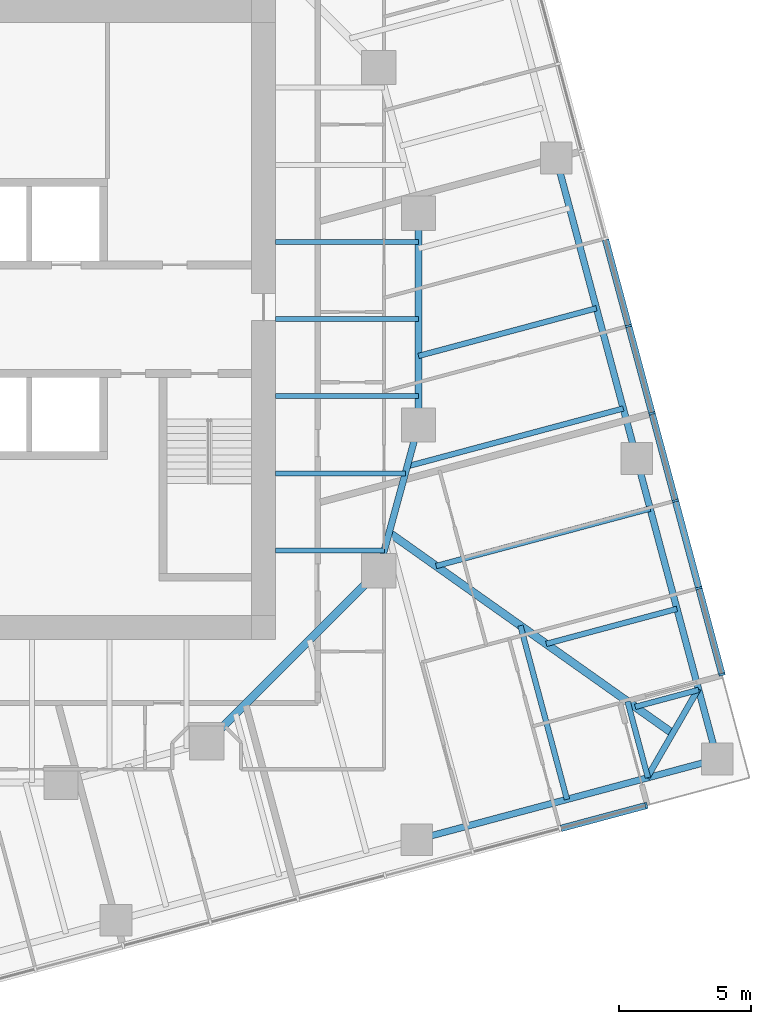
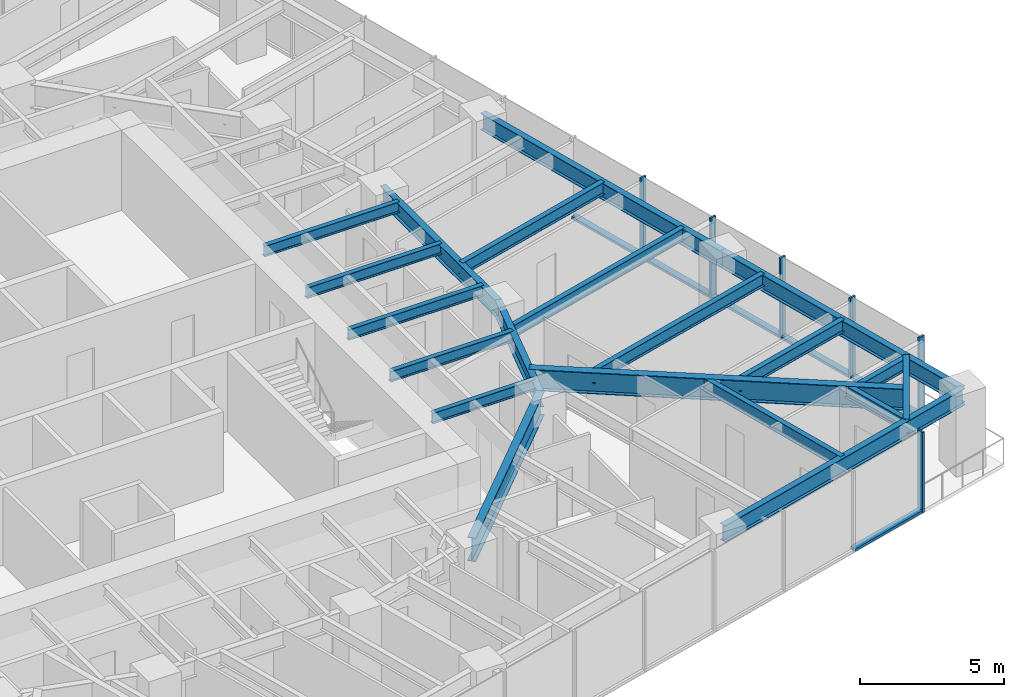
# One storey, part 4 of 14: 20 beams, 12 members, 2 elements without a shape of their own.
"""IFC4 building model written with IfcOpenShell, lengths in metres."""

import ifcopenshell
import ifcopenshell.guid

model = None  # the IFC model being written
_history = None  # IfcOwnerHistory: only IFC2X3 demands one
_inside = {}  # id of a spatial element -> (the spatial element, [elements in it])
_under = {}  # id of a project, library or spatial element -> (it, [spatial elements below it])
_declared = {}  # id of a project -> (the project, [libraries it declares])
_typed = {}  # id of a type object -> (the type object, [elements of that type])
_made_of = {}  # id of a material, layer set ... -> (it, [elements and type objects made of it])


def new_model(schema):
    """Start an empty IFC model of exactly this schema.

    Asked for "IFC4X3", IfcOpenShell would pick the latest addendum, in which some entities
    have other attributes; the version numbers below select the first issue.
    IFC2X3 requires an IfcOwnerHistory on every rooted entity: one is made here for all.
    """
    global model, _history
    if schema == "IFC4X3":
        model = ifcopenshell.file(schema_version=(4, 3, 0, 0))
    else:
        model = ifcopenshell.file(schema=schema)
    _inside.clear()
    _under.clear()
    _declared.clear()
    _typed.clear()
    _made_of.clear()
    _history = None
    if model.schema == "IFC2X3":
        org = make("IfcOrganization", Name="unknown")
        user = make(
            "IfcPersonAndOrganization",
            ThePerson=make("IfcPerson", FamilyName="unknown"),
            TheOrganization=org,
        )
        app = make(
            "IfcApplication",
            ApplicationDeveloper=org,
            Version="unknown",
            ApplicationFullName="unknown",
            ApplicationIdentifier="unknown",
        )
        _history = make(
            "IfcOwnerHistory",
            OwningUser=user,
            OwningApplication=app,
            ChangeAction="ADDED",
            CreationDate=0,
        )
    return model


def make(cls, **values):
    """One entity of the class cls with the attributes given. An attribute that is None is left unset."""
    return model.create_entity(
        cls, **{name: value for name, value in values.items() if value is not None}
    )


def rooted(cls, **values):
    """An entity with a GlobalId (a new one), such as an element, a storey or a relation."""
    return make(cls, GlobalId=ifcopenshell.guid.new(), OwnerHistory=_history, **values)


def si_unit(unit_type, name, prefix=None):
    """IfcSIUnit, for example si_unit("LENGTHUNIT", "METRE", prefix="MILLI")."""
    return make("IfcSIUnit", UnitType=unit_type, Prefix=prefix, Name=name)


def assignment(units):
    """IfcUnitAssignment: the units of a project."""
    return None if units is None else make("IfcUnitAssignment", Units=units)


def point(xyz):
    """IfcCartesianPoint."""
    return None if xyz is None else make("IfcCartesianPoint", Coordinates=xyz)


def direction(xyz):
    """IfcDirection."""
    return None if xyz is None else make("IfcDirection", DirectionRatios=xyz)


def frame(location, z_axis=None, x_axis=None):
    """IfcAxis2Placement3D, a coordinate frame: its origin and axes. An axis left out is left unset."""
    return make(
        "IfcAxis2Placement3D",
        Location=point(location),
        Axis=direction(z_axis),
        RefDirection=direction(x_axis),
    )


def frame_2d(location, x_axis=None):
    """IfcAxis2Placement2D, a coordinate frame in the plane: its origin and x axis."""
    return make(
        "IfcAxis2Placement2D", Location=point(location), RefDirection=direction(x_axis)
    )


def origin():
    """The frame at (0, 0, 0) with its axes left unset."""
    return frame((0.0, 0.0, 0.0))


def origin_2d():
    """The frame at (0, 0) in the plane with its x axis left unset."""
    return frame_2d((0.0, 0.0))


def place(relative_to, where):
    """IfcLocalPlacement: puts the frame where relative to a parent placement (None: the world)."""
    return make(
        "IfcLocalPlacement", PlacementRelTo=relative_to, RelativePlacement=where
    )


def context(
    kind, dimensions, precision=None, world=None, true_north=None, identifier=None
):
    """IfcGeometricRepresentationContext, for example the 3D "Model" context."""
    return make(
        "IfcGeometricRepresentationContext",
        ContextIdentifier=identifier,
        ContextType=kind,
        CoordinateSpaceDimension=dimensions,
        Precision=precision,
        WorldCoordinateSystem=world,
        TrueNorth=true_north,
    )


def subcontext(parent, identifier, kind, view, scale=None):
    """IfcGeometricRepresentationSubContext, for example "Body" below "Model"."""
    return make(
        "IfcGeometricRepresentationSubContext",
        ContextIdentifier=identifier,
        ContextType=kind,
        ParentContext=parent,
        TargetScale=scale,
        TargetView=view,
    )


def project(units=None, contexts=None):
    """IfcProject with its units and contexts."""
    return rooted(
        "IfcProject",
        Name="project",
        RepresentationContexts=contexts,
        UnitsInContext=assignment(units),
    )


def spatial(cls, under=None, at=None, **own):
    """A site, building, storey or space (cls), placed at a placement, below another one or the project."""
    s = rooted(cls, ObjectPlacement=at, **own)
    if under is not None:
        _under.setdefault(under.id(), (under, []))[1].append(s)
    return s


def profile(cls, at=None, kind="AREA", **sizes):
    """A parametric profile (cls). Its sizes go by their IFC names, for example OverallWidth=200.0."""
    return make(cls, ProfileType=kind, Position=at, **sizes)


def rectangle(**sizes):
    """IfcRectangleProfileDef."""
    return profile("IfcRectangleProfileDef", **sizes)


def i_section(**sizes):
    """IfcIShapeProfileDef."""
    return profile("IfcIShapeProfileDef", **sizes)


def extrude(swept, where, along, depth):
    """IfcExtrudedAreaSolid: the profile swept, set in the frame where, extruded along a direction by depth."""
    return make(
        "IfcExtrudedAreaSolid",
        SweptArea=swept,
        Position=where,
        ExtrudedDirection=direction(along),
        Depth=depth,
    )


def shape(context_of_items, identifier, shape_type, items):
    """IfcShapeRepresentation: the items that make up one representation, for example the "Body"."""
    return make(
        "IfcShapeRepresentation",
        ContextOfItems=context_of_items,
        RepresentationIdentifier=identifier,
        RepresentationType=shape_type,
        Items=items,
    )


def material(Name=None, Category=None):
    """IfcMaterial."""
    return make("IfcMaterial", Name=Name, Category=Category)


def material_profile(
    of_material, cross_section, Name=None, Category=None, Priority=None
):
    """IfcMaterialProfile: a cross section and its material."""
    return make(
        "IfcMaterialProfile",
        Name=Name,
        Material=of_material,
        Profile=cross_section,
        Priority=Priority,
        Category=Category,
    )


def profile_set(profiles, Name=None, composite=None):
    """IfcMaterialProfileSet."""
    return make(
        "IfcMaterialProfileSet",
        Name=Name,
        MaterialProfiles=profiles,
        CompositeProfile=composite,
    )


def made_of(thing, what):
    """Note that an element or type object is made of a material, layer set ...; save() writes the relation."""
    if what is not None:
        _made_of.setdefault(what.id(), (what, []))[1].append(thing)
    return thing


def type_object(cls, material=None, **own):
    """A type object (cls), such as IfcWallType, which elements share."""
    return made_of(rooted(cls, **own), material)


def element(
    cls,
    number,
    at=None,
    inside=None,
    cuts=None,
    type_object=None,
    material=None,
    context=None,
    identifier="Body",
    shape_type=None,
    held_by="IfcProductDefinitionShape",
    body=None,
    shapes=None,
    **own,
):
    """One element of the class cls, such as IfcWall. Its Tag is "e" and its number.

    at: its placement. inside: the storey or other place that contains it. cuts: it is an
    opening in that element (IfcRelVoidsElement). A single representation is given by context,
    identifier, shape_type and body (its items); several are given by shapes. held_by: the class
    of the entity that holds the representations. save() writes the other relations.
    """
    e = rooted(cls, Tag="e%d" % number, ObjectPlacement=at, **own)
    if body is not None:
        shapes = [shape(context, identifier, shape_type, body)]
    if shapes is not None:
        e.Representation = make(held_by, Representations=shapes)
    if inside is not None:
        _inside.setdefault(inside.id(), (inside, []))[1].append(e)
    if cuts is not None:
        rooted(
            "IfcRelVoidsElement", RelatingBuildingElement=cuts, RelatedOpeningElement=e
        )
    if type_object is not None:
        _typed.setdefault(type_object.id(), (type_object, []))[1].append(e)
    return made_of(e, material)


def aggregate(whole, parts):
    """IfcRelAggregates: a whole, such as a stair, and the parts it consists of."""
    return rooted("IfcRelAggregates", RelatingObject=whole, RelatedObjects=parts)


def save(model, path):
    """Write the relations noted so far, then the file.

    IfcRelAggregates (storeys below a building ...), IfcRelContainedInSpatialStructure (elements
    in a storey), IfcRelDefinesByType, IfcRelAssociatesMaterial and IfcRelDeclares: one each for
    every whole, place, type object, material and project.
    """
    for whole, parts in _under.values():
        aggregate(whole, parts)
    for where, things in _inside.values():
        rooted(
            "IfcRelContainedInSpatialStructure",
            RelatedElements=things,
            RelatingStructure=where,
        )
    for kind, things in _typed.values():
        rooted("IfcRelDefinesByType", RelatedObjects=things, RelatingType=kind)
    for what, things in _made_of.values():
        rooted("IfcRelAssociatesMaterial", RelatedObjects=things, RelatingMaterial=what)
    for by, libraries in _declared.values():
        rooted("IfcRelDeclares", RelatingContext=by, RelatedDefinitions=libraries)
    model.write(path)


model = new_model("IFC4")

# Units and contexts
model_context = context("Model", 3, precision=1e-05, world=origin(), true_north=direction((0.0, 1.0)))
body_context = subcontext(model_context, "Body", "Model", "MODEL_VIEW")
ifc_project = project(units=[si_unit("LENGTHUNIT", "METRE"), si_unit("AREAUNIT", "SQUARE_METRE"), si_unit("VOLUMEUNIT", "CUBIC_METRE"), si_unit("PLANEANGLEUNIT", "RADIAN"), si_unit("MASSUNIT", "GRAM", prefix="KILO")], contexts=[model_context])

# Site, building, storey
site_placement = place(None, origin())
site = spatial("IfcSite", under=ifc_project, at=site_placement, CompositionType="ELEMENT")
building_placement = place(site_placement, origin())
building = spatial("IfcBuilding", under=site, at=building_placement, Name="Torsade Residences", CompositionType="ELEMENT")
storey_placement = place(building_placement, frame((0.0, 0.0, 121.800048828125)))
storey = spatial("IfcBuildingStorey", under=building, at=storey_placement, Name="L33", CompositionType="ELEMENT", Elevation=121.800048828125)

# Beams
ifc_material_1 = material(Name="Steel grade 300", Category="steel")
ifc_material_profile_1 = material_profile(ifc_material_1, i_section(OverallWidth=0.300048828125, OverallDepth=0.89990234375, WebThickness=0.011962890625, FlangeThickness=0.02490234375, at=origin_2d()), Name="900WB175")
ifc_profile_set_1 = profile_set([ifc_material_profile_1], Name="Steel grade 300")
beam_type_1 = type_object("IfcBeamType", Name="CORNER GIRDER 900WB175", PredefinedType="BEAM", material=ifc_profile_set_1)
beam_1_placement = place(storey_placement, frame((67.097412109375, 14.355224609375, 2.800048828125), z_axis=(-0.816261084801, 0.577683167004, 0.0), x_axis=(-0.577683167004, -0.816261084801, 0.0)))
element("IfcBeam", 1, at=beam_1_placement, inside=storey, type_object=beam_type_1, Name="Corner girder 05 L34", PredefinedType="BEAM", context=body_context, shape_type="SweptSolid", body=[
    extrude(i_section(OverallWidth=0.300048828125, OverallDepth=0.89990234375, WebThickness=0.011962890625, FlangeThickness=0.02490234375, at=origin_2d()), origin(), (0.0, 0.0, 1.0), 13.116943359375),
])
ifc_material_2 = material(Name="Steel grade 300", Category="steel")
ifc_material_profile_2 = material_profile(ifc_material_2, i_section(OverallWidth=0.22802734375, OverallDepth=0.60205078125, WebThickness=0.010498046875, FlangeThickness=0.014892578125, FilletRadius=0.013916015625, at=origin_2d()), Name="610UB101")
ifc_profile_set_2 = profile_set([ifc_material_profile_2], Name="Steel grade 300")
beam_type_2 = type_object("IfcBeamType", Name="CORNER TRIMMER 610UB101", PredefinedType="BEAM", material=ifc_profile_set_2)
beam_2_placement = place(storey_placement, frame((68.06982421875, 16.039306640625, 2.948974609375), z_axis=(-0.499994147244, -0.866028782848, 0.0), x_axis=(0.866028782848, -0.499994147244, 0.0)))
element("IfcBeam", 2, at=beam_2_placement, inside=storey, type_object=beam_type_2, Name="Corner trimmer 05 L34", PredefinedType="BEAM", context=body_context, shape_type="SweptSolid", body=[
    extrude(i_section(OverallWidth=0.22802734375, OverallDepth=0.60205078125, WebThickness=0.010498046875, FlangeThickness=0.014892578125, FilletRadius=0.013916015625, at=origin_2d()), origin(), (0.0, 0.0, 1.0), 3.88916015625),
])
ifc_material_3 = material(Name="Steel grade 300", Category="steel")
ifc_material_profile_3 = material_profile(ifc_material_3, i_section(OverallWidth=0.25, OverallDepth=0.699951171875, WebThickness=0.010009765625, FlangeThickness=0.02001953125, at=origin_2d()), Name="700WB130")
ifc_profile_set_3 = profile_set([ifc_material_profile_3], Name="Steel grade 300")
beam_type_3 = type_object("IfcBeamType", Name="EDGE BEAM 700WB130", PredefinedType="SPANDREL", material=ifc_profile_set_3)
for number, where, z_axis, x_axis, name in (
    (3, (57.431884765625, 10.341796875, 2.89990234375), (0.965922824118, 0.258830249097, 0.0), (-0.258830249097, 0.965922824118, 0.0), "Edge beam 04 L34"),
    (4, (68.781494140625, 13.383056640625, 2.89990234375), (-0.258810863021, 0.965928018634, 0.0), (-0.965928018634, -0.258810863021, 0.0), "Edge beam 05 L34"),
    (5, (65.740478515625, 24.732666015625, 2.89990234375), (-0.258830249097, 0.965922824118, 0.0), (-0.965922824118, -0.258830249097, 0.0), "Edge beam 06 L34"),
):
    element("IfcBeam", number, at=place(storey_placement, frame(where, z_axis=z_axis, x_axis=x_axis)), inside=storey, type_object=beam_type_3, Name=name, PredefinedType="SPANDREL", context=body_context, shape_type="SweptSolid", body=[
        extrude(i_section(OverallWidth=0.25, OverallDepth=0.699951171875, WebThickness=0.010009765625, FlangeThickness=0.02001953125, at=origin_2d()), origin(), (0.0, 0.0, 1.0), 11.75),
    ])
ifc_material_4 = material(Name="Steel grade 300", Category="steel")
ifc_material_profile_4 = material_profile(ifc_material_4, i_section(OverallWidth=0.18994140625, OverallDepth=0.4541015625, WebThickness=0.008544921875, FlangeThickness=0.0126953125, FilletRadius=0.011474609375, at=origin_2d()), Name="460UB67.1")
ifc_profile_set_4 = profile_set([ifc_material_profile_4], Name="Steel grade 300")
beam_type_4 = type_object("IfcBeamType", Name="INNER FLOOR BEAM 460UB67.1", PredefinedType="JOIST", material=ifc_profile_set_4)
beam_3_placement = place(storey_placement, frame((52.10009765625, 21.262451171875, 3.02294921875), z_axis=(1.0, 0.0, 0.0), x_axis=(0.0, 1.0, 0.0)))
element("IfcBeam", 6, at=beam_3_placement, inside=storey, type_object=beam_type_4, Name="Inner floor beam IE01 L34", PredefinedType="JOIST", context=body_context, shape_type="SweptSolid", body=[
    extrude(i_section(OverallWidth=0.18994140625, OverallDepth=0.4541015625, WebThickness=0.008544921875, FlangeThickness=0.0126953125, FilletRadius=0.011474609375, at=origin_2d()), origin(), (0.0, 0.0, 1.0), 4.10791015625),
])
beam_4_placement = place(storey_placement, frame((52.10009765625, 24.175048828125, 3.02294921875), z_axis=(1.0, 0.0, 0.0), x_axis=(0.0, 1.0, 0.0)))
element("IfcBeam", 7, at=beam_4_placement, inside=storey, type_object=beam_type_4, Name="Inner floor beam IE02 L34", PredefinedType="JOIST", context=body_context, shape_type="SweptSolid", body=[
    extrude(i_section(OverallWidth=0.18994140625, OverallDepth=0.4541015625, WebThickness=0.008544921875, FlangeThickness=0.0126953125, FilletRadius=0.011474609375, at=origin_2d()), origin(), (0.0, 0.0, 1.0), 4.902099609375),
])
for number, where, z_axis, x_axis, name in (
    (8, (52.10009765625, 27.08740234375, 3.02294921875), (1.0, 0.0, 0.0), (0.0, 1.0, 0.0), "Inner floor beam IE03 L34"),
    (9, (52.10009765625, 30.0, 3.02294921875), (1.0, 0.0, 0.0), (0.0, 1.0, 0.0), "Inner floor beam IE04 L34"),
    (10, (52.10009765625, 32.91259765625, 3.02294921875), (1.0, 0.0, 0.0), (0.0, 1.0, 0.0), "Inner floor beam IE05 L34"),
):
    element("IfcBeam", number, at=place(storey_placement, frame(where, z_axis=z_axis, x_axis=x_axis)), inside=storey, type_object=beam_type_4, Name=name, PredefinedType="JOIST", context=body_context, shape_type="SweptSolid", body=[
        extrude(i_section(OverallWidth=0.18994140625, OverallDepth=0.4541015625, WebThickness=0.008544921875, FlangeThickness=0.0126953125, FilletRadius=0.011474609375, at=origin_2d()), origin(), (0.0, 0.0, 1.0), 5.39990234375),
    ])

# Curtain wall, member
ifc_material_5 = material(Name="Aluminium and glass", Category="aluminium")
curtain_wall_type = type_object("IfcCurtainWallType", Name="FRITTED GLASS CURTAIN WALL MID ZONE", PredefinedType="NOTDEFINED", material=ifc_material_5)
curtain_wall_1_placement = place(storey_placement, origin())
curtain_wall_1 = element("IfcCurtainWall", 11, at=curtain_wall_1_placement, inside=storey, type_object=curtain_wall_type, Name="Curtain wall L33 face 1", PredefinedType="NOTDEFINED")
ifc_material_6 = material(Name="Aluminium mullion", Category="aluminium")
ifc_material_profile_5 = material_profile(ifc_material_6, rectangle(XDim=0.25, YDim=0.080078125, at=origin_2d()), Name="MID ZONE CURTAIN WALL MULLION 250x80")
ifc_profile_set_5 = profile_set([ifc_material_profile_5], Name="Aluminium mullion")
member_type_1 = type_object("IfcMemberType", Name="MID ZONE CURTAIN WALL MULLION 250x80", PredefinedType="MULLION", material=ifc_profile_set_5)
member_1_placement = place(storey_placement, frame((66.10400390625, 11.63037109375, 0.0), z_axis=(0.0, 0.0, 1.0), x_axis=(-0.258819047783, 0.965925825571, 0.0)))
member_1 = element("IfcMember", 12, at=member_1_placement, type_object=member_type_1, Name="Mullion 13", PredefinedType="MULLION", context=body_context, shape_type="SweptSolid", body=[
    extrude(rectangle(XDim=0.25, YDim=0.080078125, at=origin_2d()), origin(), (0.0, 0.0, 1.0), 3.39990234375),
])

# Curtain wall, members
curtain_wall_2_placement = place(storey_placement, origin())
curtain_wall_2 = element("IfcCurtainWall", 13, at=curtain_wall_2_placement, inside=storey, type_object=curtain_wall_type, Name="Curtain wall L33 face 4", PredefinedType="NOTDEFINED")
member_2_placement = place(storey_placement, frame((68.960693359375, 16.578125, 0.0), z_axis=(0.0, 0.0, 1.0), x_axis=(-0.965925825571, -0.258819047783, 0.0)))
member_2 = element("IfcMember", 14, at=member_2_placement, type_object=member_type_1, Name="Mullion 1", PredefinedType="MULLION", context=body_context, shape_type="SweptSolid", body=[
    extrude(rectangle(XDim=0.25, YDim=0.080078125, at=origin_2d()), origin(), (0.0, 0.0, 1.0), 3.39990234375),
])
member_3_placement = place(storey_placement, frame((68.086669921875, 19.83984375, 0.0), z_axis=(0.0, 0.0, 1.0), x_axis=(-0.965925825571, -0.258819047783, 0.0)))
member_3 = element("IfcMember", 15, at=member_3_placement, type_object=member_type_1, Name="Mullion 2", PredefinedType="MULLION", context=body_context, shape_type="SweptSolid", body=[
    extrude(rectangle(XDim=0.25, YDim=0.080078125, at=origin_2d()), origin(), (0.0, 0.0, 1.0), 3.39990234375),
])
member_4_placement = place(storey_placement, frame((67.202392578125, 23.14013671875, 0.0), z_axis=(0.0, 0.0, 1.0), x_axis=(-0.965925825571, -0.258819047783, 0.0)))
member_4 = element("IfcMember", 16, at=member_4_placement, type_object=member_type_1, Name="Mullion 3", PredefinedType="MULLION", context=body_context, shape_type="SweptSolid", body=[
    extrude(rectangle(XDim=0.25, YDim=0.080078125, at=origin_2d()), origin(), (0.0, 0.0, 1.0), 3.39990234375),
])
member_5_placement = place(storey_placement, frame((66.318115234375, 26.4404296875, 0.0), z_axis=(0.0, 0.0, 1.0), x_axis=(-0.965925825571, -0.258819047783, 0.0)))
member_5 = element("IfcMember", 17, at=member_5_placement, type_object=member_type_1, Name="Mullion 4", PredefinedType="MULLION", context=body_context, shape_type="SweptSolid", body=[
    extrude(rectangle(XDim=0.25, YDim=0.080078125, at=origin_2d()), origin(), (0.0, 0.0, 1.0), 3.39990234375),
])
member_6_placement = place(storey_placement, frame((65.433837890625, 29.740478515625, 0.0), z_axis=(0.0, 0.0, 1.0), x_axis=(-0.965925825571, -0.258819047783, 0.0)))
member_6 = element("IfcMember", 18, at=member_6_placement, type_object=member_type_1, Name="Mullion 5", PredefinedType="MULLION", context=body_context, shape_type="SweptSolid", body=[
    extrude(rectangle(XDim=0.25, YDim=0.080078125, at=origin_2d()), origin(), (0.0, 0.0, 1.0), 3.39990234375),
])

# Member
ifc_material_7 = material(Name="Aluminium transom", Category="aluminium")
ifc_material_profile_6 = material_profile(ifc_material_7, rectangle(XDim=0.25, YDim=0.110107421875, at=origin_2d()), Name="MID ZONE CURTAIN WALL TRANSOM 250x110")
ifc_profile_set_6 = profile_set([ifc_material_profile_6], Name="Aluminium transom")
member_type_2 = type_object("IfcMemberType", Name="MID ZONE CURTAIN WALL TRANSOM 250x110", PredefinedType="USERDEFINED", material=ifc_profile_set_6)
member_7_placement = place(storey_placement, frame((62.880859375, 10.7666015625, 0.054931640625), z_axis=(0.965923258633, 0.258828627534, 0.0), x_axis=(-0.258828627534, 0.965923258633, 0.0)))
member_7 = element("IfcMember", 19, at=member_7_placement, type_object=member_type_2, Name="Transom 12.1", ObjectType="TRANSOM", PredefinedType="USERDEFINED", context=body_context, shape_type="SweptSolid", body=[
    extrude(rectangle(XDim=0.25, YDim=0.110107421875, at=origin_2d()), origin(), (0.0, 0.0, 1.0), 3.296630859375),
])

aggregate(curtain_wall_1, [member_1, member_7])

member_8_placement = place(storey_placement, frame((68.9501953125, 16.616943359375, 0.054931640625), z_axis=(-0.258828627534, 0.965923258633, 0.0), x_axis=(-0.965923258633, -0.258828627534, 0.0)))
member_8 = element("IfcMember", 20, at=member_8_placement, type_object=member_type_2, Name="Transom 1.1", ObjectType="TRANSOM", PredefinedType="USERDEFINED", context=body_context, shape_type="SweptSolid", body=[
    extrude(rectangle(XDim=0.25, YDim=0.110107421875, at=origin_2d()), origin(), (0.0, 0.0, 1.0), 3.296630859375),
])

member_9_placement = place(storey_placement, frame((68.076416015625, 19.87841796875, 0.054931640625), z_axis=(-0.258855549498, 0.965916044226, 0.0), x_axis=(-0.965916044226, -0.258855549498, 0.0)))
member_9 = element("IfcMember", 21, at=member_9_placement, type_object=member_type_2, Name="Transom 2.1", ObjectType="TRANSOM", PredefinedType="USERDEFINED", context=body_context, shape_type="SweptSolid", body=[
    extrude(rectangle(XDim=0.25, YDim=0.110107421875, at=origin_2d()), origin(), (0.0, 0.0, 1.0), 3.3369140625),
])

member_10_placement = place(storey_placement, frame((67.192138671875, 23.1787109375, 0.054931640625), z_axis=(-0.258873844232, 0.96591114124, 0.0), x_axis=(-0.96591114124, -0.258873844232, 0.0)))
member_10 = element("IfcMember", 22, at=member_10_placement, type_object=member_type_2, Name="Transom 3.1", ObjectType="TRANSOM", PredefinedType="USERDEFINED", context=body_context, shape_type="SweptSolid", body=[
    extrude(rectangle(XDim=0.25, YDim=0.110107421875, at=origin_2d()), origin(), (0.0, 0.0, 1.0), 3.336669921875),
])

member_11_placement = place(storey_placement, frame((66.3076171875, 26.47900390625, 0.054931640625), z_axis=(-0.258805576255, 0.965929435155, 0.0), x_axis=(-0.965929435155, -0.258805576255, 0.0)))
member_11 = element("IfcMember", 23, at=member_11_placement, type_object=member_type_2, Name="Transom 4.1", ObjectType="TRANSOM", PredefinedType="USERDEFINED", context=body_context, shape_type="SweptSolid", body=[
    extrude(rectangle(XDim=0.25, YDim=0.110107421875, at=origin_2d()), origin(), (0.0, 0.0, 1.0), 3.336669921875),
])

member_12_placement = place(storey_placement, frame((65.42333984375, 29.779296875, 0.054931640625), z_axis=(-0.258805576255, 0.965929435155, 0.0), x_axis=(-0.965929435155, -0.258805576255, 0.0)))
member_12 = element("IfcMember", 24, at=member_12_placement, type_object=member_type_2, Name="Transom 5.1", ObjectType="TRANSOM", PredefinedType="USERDEFINED", context=body_context, shape_type="SweptSolid", body=[
    extrude(rectangle(XDim=0.25, YDim=0.110107421875, at=origin_2d()), origin(), (0.0, 0.0, 1.0), 3.336669921875),
])

aggregate(curtain_wall_2, [member_2, member_3, member_4, member_5, member_6, member_8, member_9, member_10, member_11, member_12])

# Beams
ifc_material_8 = material(Name="Steel grade 300", Category="steel")
ifc_material_profile_7 = material_profile(ifc_material_8, i_section(OverallWidth=0.300048828125, OverallDepth=1.0, WebThickness=0.01611328125, FlangeThickness=0.028076171875, at=origin_2d()), Name="1000WB215")
ifc_profile_set_7 = profile_set([ifc_material_profile_7], Name="Steel grade 300")
beam_type_5 = type_object("IfcBeamType", Name="RING CORNER GIRDER 1000WB215", PredefinedType="BEAM", material=ifc_profile_set_7)
beam_5_placement = place(storey_placement, frame((49.5, 14.0, 2.75), z_axis=(0.707106781187, 0.707106781187, 0.0), x_axis=(-0.707106781187, 0.707106781187, 0.0)))
element("IfcBeam", 25, at=beam_5_placement, inside=storey, type_object=beam_type_5, Name="Ring girder IR15 L34", PredefinedType="BEAM", context=body_context, shape_type="SweptSolid", body=[
    extrude(i_section(OverallWidth=0.300048828125, OverallDepth=1.0, WebThickness=0.01611328125, FlangeThickness=0.028076171875, at=origin_2d()), origin(), (0.0, 0.0, 1.0), 9.1923828125),
])
ifc_material_9 = material(Name="Steel grade 300", Category="steel")
ifc_material_profile_8 = material_profile(ifc_material_9, i_section(OverallWidth=0.25, OverallDepth=0.699951171875, WebThickness=0.010009765625, FlangeThickness=0.02001953125, at=origin_2d()), Name="700WB130")
ifc_profile_set_8 = profile_set([ifc_material_profile_8], Name="Steel grade 300")
beam_type_6 = type_object("IfcBeamType", Name="RING GIRDER 700WB130", PredefinedType="BEAM", material=ifc_profile_set_8)
beam_6_placement = place(storey_placement, frame((57.5, 26.0, 2.89990234375), z_axis=(0.0, 1.0, 0.0), x_axis=(-1.0, 0.0, 0.0)))
element("IfcBeam", 26, at=beam_6_placement, inside=storey, type_object=beam_type_6, Name="Ring girder IR01 L34", PredefinedType="BEAM", context=body_context, shape_type="SweptSolid", body=[
    extrude(i_section(OverallWidth=0.25, OverallDepth=0.699951171875, WebThickness=0.010009765625, FlangeThickness=0.02001953125, at=origin_2d()), origin(), (0.0, 0.0, 1.0), 8.0),
])
beam_7_placement = place(storey_placement, frame((56.0, 20.5, 2.89990234375), z_axis=(0.263117405792, 0.964763821238, 0.0), x_axis=(-0.964763821238, 0.263117405792, 0.0)))
element("IfcBeam", 27, at=beam_7_placement, inside=storey, type_object=beam_type_6, Name="Ring girder IR16 L34", PredefinedType="BEAM", context=body_context, shape_type="SweptSolid", body=[
    extrude(i_section(OverallWidth=0.25, OverallDepth=0.699951171875, WebThickness=0.010009765625, FlangeThickness=0.02001953125, at=origin_2d()), origin(), (0.0, 0.0, 1.0), 5.700927734375),
])
ifc_material_10 = material(Name="Steel grade 300", Category="steel")
ifc_material_profile_9 = material_profile(ifc_material_10, i_section(OverallWidth=0.208984375, OverallDepth=0.528076171875, WebThickness=0.009521484375, FlangeThickness=0.01318359375, FilletRadius=0.013916015625, at=origin_2d()), Name="530UB82.0")
ifc_profile_set_9 = profile_set([ifc_material_profile_9], Name="Steel grade 300")
beam_type_7 = type_object("IfcBeamType", Name="SECONDARY BEAM 530UB82.0", PredefinedType="JOIST", material=ifc_profile_set_9)
beam_8_placement = place(storey_placement, frame((63.106689453125, 11.862548828125, 2.98583984375), z_axis=(-0.258814533235, 0.965927035229, 0.0), x_axis=(-0.965927035229, -0.258814533235, 0.0)))
element("IfcBeam", 28, at=beam_8_placement, inside=storey, type_object=beam_type_7, Name="Floor beam FS11 L34", PredefinedType="JOIST", context=body_context, shape_type="SweptSolid", body=[
    extrude(i_section(OverallWidth=0.208984375, OverallDepth=0.528076171875, WebThickness=0.009521484375, FlangeThickness=0.01318359375, FilletRadius=0.013916015625, at=origin_2d()), origin(), (0.0, 0.0, 1.0), 6.792724609375),
])
beam_9_placement = place(storey_placement, frame((66.16552734375, 12.68212890625, 2.98583984375), z_axis=(-0.258865750242, 0.965913310475, 0.0), x_axis=(-0.965913310475, -0.258865750242, 0.0)))
element("IfcBeam", 29, at=beam_9_placement, inside=storey, type_object=beam_type_7, Name="Floor beam FS12 L34", PredefinedType="JOIST", context=body_context, shape_type="SweptSolid", body=[
    extrude(i_section(OverallWidth=0.208984375, OverallDepth=0.528076171875, WebThickness=0.009521484375, FlangeThickness=0.01318359375, FilletRadius=0.013916015625, at=origin_2d()), origin(), (0.0, 0.0, 1.0), 2.980224609375),
])
beam_10_placement = place(storey_placement, frame((68.08056640625, 15.9990234375, 2.98583984375), z_axis=(-0.965920834438, -0.258837674225, 0.0), x_axis=(0.258837674225, -0.965920834438, 0.0)))
element("IfcBeam", 30, at=beam_10_placement, inside=storey, type_object=beam_type_7, Name="Floor beam FE01 L34", PredefinedType="JOIST", context=body_context, shape_type="SweptSolid", body=[
    extrude(i_section(OverallWidth=0.208984375, OverallDepth=0.528076171875, WebThickness=0.009521484375, FlangeThickness=0.01318359375, FilletRadius=0.013916015625, at=origin_2d()), origin(), (0.0, 0.0, 1.0), 2.482666015625),
])
beam_11_placement = place(storey_placement, frame((67.260986328125, 19.057861328125, 2.98583984375), z_axis=(-0.965926736728, -0.258815647274, 0.0), x_axis=(0.258815647274, -0.965926736728, 0.0)))
element("IfcBeam", 31, at=beam_11_placement, inside=storey, type_object=beam_type_7, Name="Floor beam FE02 L34", PredefinedType="JOIST", context=body_context, shape_type="SweptSolid", body=[
    extrude(i_section(OverallWidth=0.208984375, OverallDepth=0.528076171875, WebThickness=0.009521484375, FlangeThickness=0.01318359375, FilletRadius=0.013916015625, at=origin_2d()), origin(), (0.0, 0.0, 1.0), 5.11279296875),
])
beam_12_placement = place(storey_placement, frame((66.247314453125, 22.841064453125, 2.98583984375), z_axis=(-0.965924734258, -0.258823120582, 0.0), x_axis=(0.258823120582, -0.965924734258, 0.0)))
element("IfcBeam", 32, at=beam_12_placement, inside=storey, type_object=beam_type_7, Name="Floor beam FE03 L34", PredefinedType="JOIST", context=body_context, shape_type="SweptSolid", body=[
    extrude(i_section(OverallWidth=0.208984375, OverallDepth=0.528076171875, WebThickness=0.009521484375, FlangeThickness=0.01318359375, FilletRadius=0.013916015625, at=origin_2d()), origin(), (0.0, 0.0, 1.0), 8.365966796875),
])
beam_13_placement = place(storey_placement, frame((65.233642578125, 26.624267578125, 2.98583984375), z_axis=(-0.965928701223, -0.258808315464, 0.0), x_axis=(0.258808315464, -0.965928701223, 0.0)))
element("IfcBeam", 33, at=beam_13_placement, inside=storey, type_object=beam_type_7, Name="Floor beam FE04 L34", PredefinedType="JOIST", context=body_context, shape_type="SweptSolid", body=[
    extrude(i_section(OverallWidth=0.208984375, OverallDepth=0.528076171875, WebThickness=0.009521484375, FlangeThickness=0.01318359375, FilletRadius=0.013916015625, at=origin_2d()), origin(), (0.0, 0.0, 1.0), 8.447509765625),
])
beam_14_placement = place(storey_placement, frame((64.2197265625, 30.407470703125, 2.98583984375), z_axis=(-0.965926120836, -0.258817945835, 0.0), x_axis=(0.258817945835, -0.965926120836, 0.0)))
element("IfcBeam", 34, at=beam_14_placement, inside=storey, type_object=beam_type_7, Name="Floor beam FE05 L34", PredefinedType="JOIST", context=body_context, shape_type="SweptSolid", body=[
    extrude(i_section(OverallWidth=0.208984375, OverallDepth=0.528076171875, WebThickness=0.009521484375, FlangeThickness=0.01318359375, FilletRadius=0.013916015625, at=origin_2d()), origin(), (0.0, 0.0, 1.0), 6.956787109375),
])

save(model, "model.ifc")
